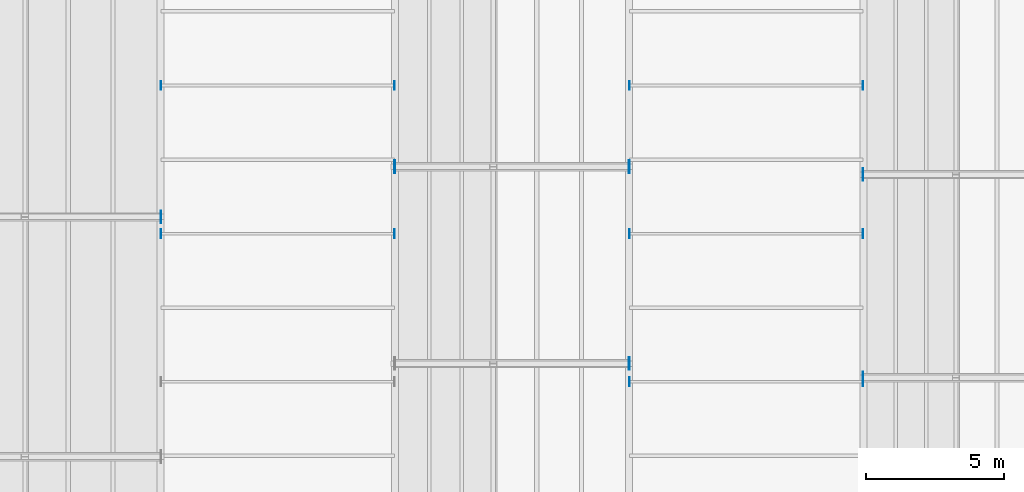
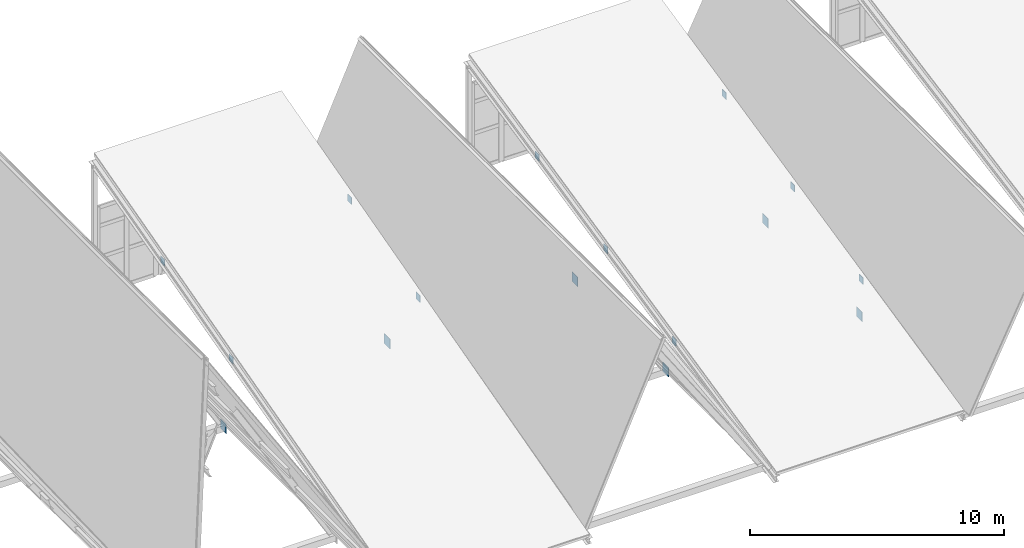
# One storey, part 66 of 77: 16 plates.
"""IFC4 building model written with IfcOpenShell, lengths in metres."""

from ifc_helpers import new_model, si_unit, direction, frame, origin, origin_2d, place, context, subcontext, project, spatial, rectangle, extrude, material, material_profile, profile_set, type_object, element, save


model = new_model("IFC4")

# Units and contexts
model_context = context("Model", 3, precision=1e-05, world=origin(), true_north=direction((0.0, 1.0)))
body_context = subcontext(model_context, "Body", "Model", "MODEL_VIEW")
ifc_project = project(units=[si_unit("LENGTHUNIT", "METRE"), si_unit("AREAUNIT", "SQUARE_METRE"), si_unit("VOLUMEUNIT", "CUBIC_METRE"), si_unit("PLANEANGLEUNIT", "RADIAN"), si_unit("MASSUNIT", "GRAM", prefix="KILO"), si_unit("THERMODYNAMICTEMPERATUREUNIT", "KELVIN"), si_unit("POWERUNIT", "WATT")], contexts=[model_context])

# Site, building, storey
site_placement = place(None, origin())
site = spatial("IfcSite", under=ifc_project, at=site_placement, CompositionType="ELEMENT")
building_placement = place(site_placement, origin())
building = spatial("IfcBuilding", under=site, at=building_placement, Name="Zhenchuan Central Fire Station", CompositionType="ELEMENT")
storey_placement = place(building_placement, frame((0.0, 0.0, 10.050048828125)))
storey = spatial("IfcBuildingStorey", under=building, at=storey_placement, Name="L03", CompositionType="ELEMENT", Elevation=10.050048828125)

# Plates
ifc_material = material(Name="Steel Q355B", Category="steel")
ifc_material_profile_1 = material_profile(ifc_material, rectangle(XDim=0.320068359375, YDim=0.320068359375, at=origin_2d()), Name="PL 320x320x20")
ifc_profile_set_1 = profile_set([ifc_material_profile_1], Name="Steel Q355B")
plate_type_1 = type_object("IfcPlateType", Name="PL-CAP20", PredefinedType="SHEET", material=ifc_profile_set_1)
for number, where, z_axis, x_axis, name in (
    (1, (98.4990234375, 24.744384765625, 3.263916015625), (1.0, 0.0, 0.0), (0.0, 1.0, 0.0), "Pavilion H06 Roof Purlin 5 end cap plate A"),
    (2, (106.98095703125, 24.744384765625, 3.263916015625), (1.0, 0.0, 0.0), (0.0, 1.0, 0.0), "Pavilion H06 Roof Purlin 5 end cap plate B"),
    (3, (98.4990234375, 30.122314453125, 4.701416015625), (1.0, 0.0, 0.0), (0.0, 1.0, 0.0), "Pavilion H06 Roof Purlin 7 end cap plate A"),
    (4, (106.98095703125, 30.122314453125, 4.701416015625), (1.0, 0.0, 0.0), (0.0, 1.0, 0.0), "Pavilion H06 Roof Purlin 7 end cap plate B"),
    (5, (115.4990234375, 19.36669921875, 1.428955078125), (1.0, 0.0, 0.0), (0.0, 1.0, 0.0), "Pavilion H08 Roof Purlin 3 end cap plate A"),
    (6, (123.98095703125, 19.36669921875, 1.428955078125), (1.0, 0.0, 0.0), (0.0, 1.0, 0.0), "Pavilion H08 Roof Purlin 3 end cap plate B"),
    (7, (115.4990234375, 24.744384765625, 2.601806640625), (1.0, 0.0, 0.0), (0.0, 1.0, 0.0), "Pavilion H08 Roof Purlin 5 end cap plate A"),
    (8, (123.98095703125, 24.744384765625, 2.601806640625), (1.0, 0.0, 0.0), (0.0, 1.0, 0.0), "Pavilion H08 Roof Purlin 5 end cap plate B"),
    (9, (115.4990234375, 30.122314453125, 3.774658203125), (1.0, 0.0, 0.0), (0.0, 1.0, 0.0), "Pavilion H08 Roof Purlin 7 end cap plate A"),
    (10, (123.98095703125, 30.122314453125, 3.774658203125), (1.0, 0.0, 0.0), (0.0, 1.0, 0.0), "Pavilion H08 Roof Purlin 7 end cap plate B"),
):
    element("IfcPlate", number, at=place(storey_placement, frame(where, z_axis=z_axis, x_axis=x_axis)), inside=storey, type_object=plate_type_1, Name=name, PredefinedType="SHEET", context=body_context, shape_type="SweptSolid", body=[
        extrude(rectangle(XDim=0.320068359375, YDim=0.320068359375, at=origin_2d()), origin(), (0.0, 0.0, 1.0), 0.02001953125),
    ])
ifc_material_profile_2 = material_profile(ifc_material, rectangle(XDim=0.4599609375, YDim=0.4599609375, at=origin_2d()), Name="PL 460x460x28")
ifc_profile_set_2 = profile_set([ifc_material_profile_2], Name="Steel Q355B")
plate_type_2 = type_object("IfcPlateType", Name="PL-GUS28-INT", PredefinedType="SHEET", material=ifc_profile_set_2)
for number, where, z_axis, x_axis, name in (
    (11, (98.49609375, 25.35009765625, -0.330078125), (1.0, 0.0, 0.0), (0.0, 1.0, 0.0), "Pavilion H05 Gable Bottom Chord 3 end cap plate B"),
    (12, (115.49609375, 20.030029296875, -0.330078125), (1.0, 0.0, 0.0), (0.0, 1.0, 0.0), "Pavilion H07 Gable Bottom Chord 2 end cap plate B"),
    (13, (106.98388671875, 27.169921875, -0.330078125), (1.0, 0.0, 0.0), (0.0, 1.0, 0.0), "Pavilion H07 Gable Bottom Chord 3 end cap plate A"),
    (14, (115.49609375, 27.169921875, -0.330078125), (1.0, 0.0, 0.0), (0.0, 1.0, 0.0), "Pavilion H07 Gable Bottom Chord 3 end cap plate B"),
    (15, (123.98388671875, 19.510009765625, -0.330078125), (1.0, 0.0, 0.0), (0.0, 1.0, 0.0), "Pavilion H09 Gable Bottom Chord 2 end cap plate A"),
    (16, (123.98388671875, 26.889892578125, -0.330078125), (1.0, 0.0, 0.0), (0.0, 1.0, 0.0), "Pavilion H09 Gable Bottom Chord 3 end cap plate A"),
):
    element("IfcPlate", number, at=place(storey_placement, frame(where, z_axis=z_axis, x_axis=x_axis)), inside=storey, type_object=plate_type_2, Name=name, PredefinedType="SHEET", context=body_context, shape_type="SweptSolid", body=[
        extrude(rectangle(XDim=0.4599609375, YDim=0.4599609375, at=origin_2d()), origin(), (0.0, 0.0, 1.0), 0.02001953125),
    ])

save(model, "model.ifc")
